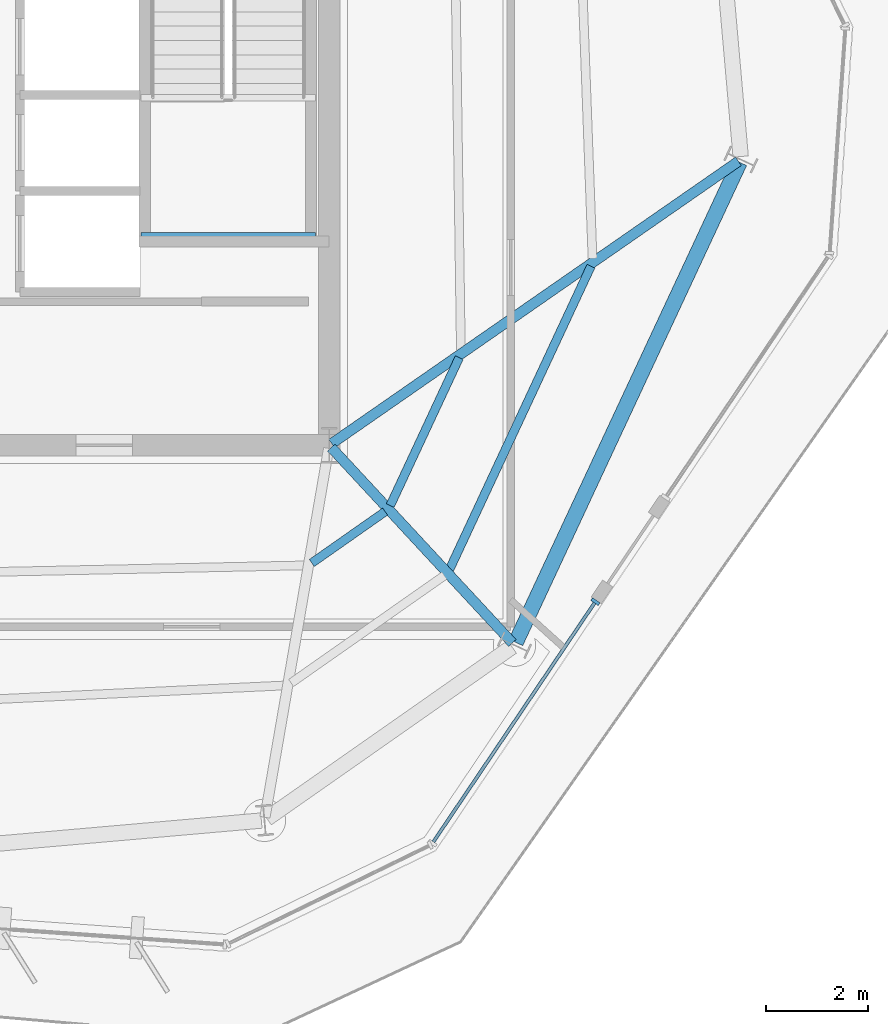
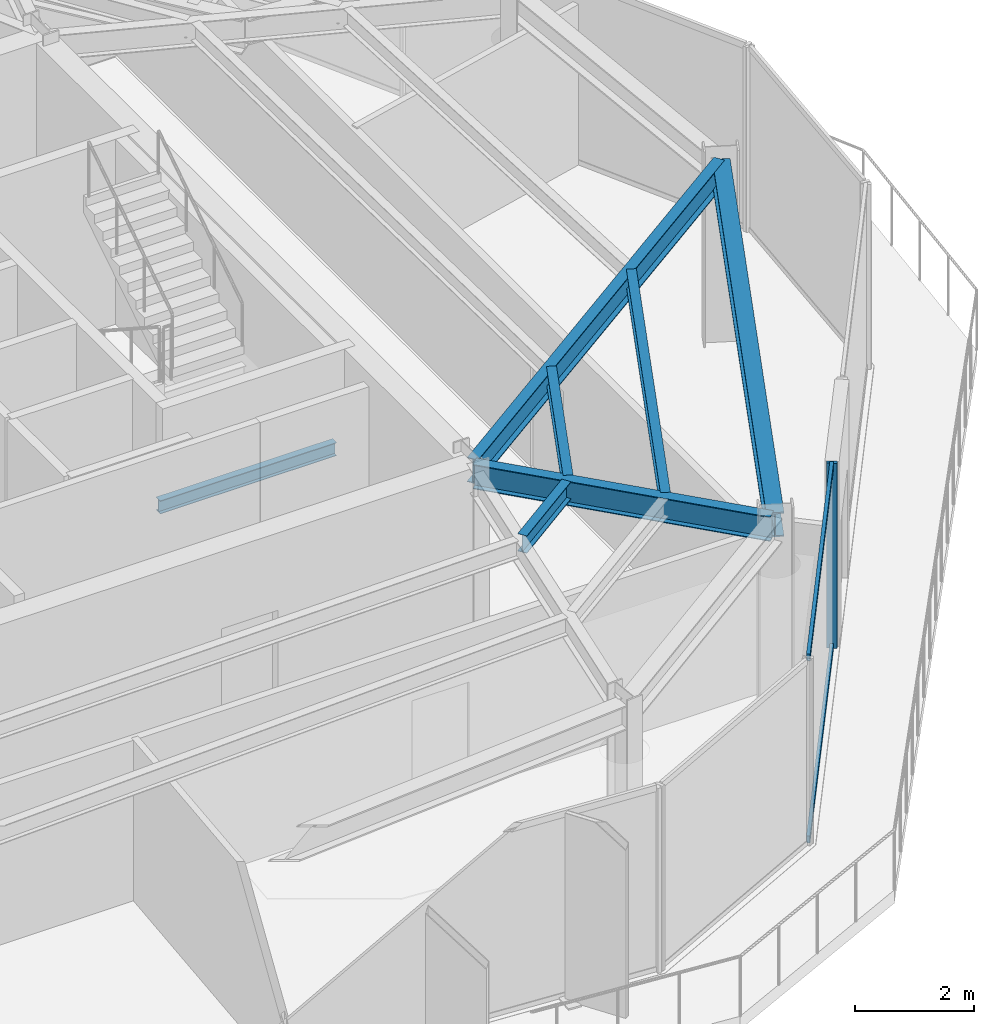
# One storey, part 3 of 12: 7 beams, 3 members, 1 element without a shape of its own.
"""IFC4 building model written with IfcOpenShell, lengths in metres."""

from ifc_helpers import new_model, si_unit, direction, frame, origin, origin_2d, place, context, subcontext, project, spatial, rectangle, i_section, extrude, material, layer, layer_set, material_profile, profile_set, type_object, element, aggregate, save


model = new_model("IFC4")

# Units and contexts
model_context = context("Model", 3, precision=1e-05, world=origin(), true_north=direction((0.0, 1.0)))
body_context = subcontext(model_context, "Body", "Model", "MODEL_VIEW")
ifc_project = project(units=[si_unit("LENGTHUNIT", "METRE"), si_unit("AREAUNIT", "SQUARE_METRE"), si_unit("VOLUMEUNIT", "CUBIC_METRE"), si_unit("PLANEANGLEUNIT", "RADIAN"), si_unit("MASSUNIT", "GRAM", prefix="KILO")], contexts=[model_context])

# Site, building, storey
site_placement = place(None, origin())
site = spatial("IfcSite", under=ifc_project, at=site_placement, CompositionType="ELEMENT")
building_placement = place(site_placement, origin())
building = spatial("IfcBuilding", under=site, at=building_placement, Name="Kranzbogen Civic Tower", CompositionType="ELEMENT")
storey_placement = place(building_placement, frame((0.0, 0.0, 250.199951171875)))
storey = spatial("IfcBuildingStorey", under=building, at=storey_placement, Name="L60", CompositionType="ELEMENT", Elevation=250.199951171875)

# Curtain wall, members
ifc_material_1 = material(Name="Pale Anodised Aluminium", Category="aluminium")
ifc_layer = layer(ifc_material_1, 0.219970703125, Name="Pale Anodised Aluminium")
ifc_layer_set = layer_set([ifc_layer], Name="Pale Anodised Aluminium")
curtain_wall_type = type_object("IfcCurtainWallType", Name="Zone 4 Stick Curtain Wall System CW-05", PredefinedType="USERDEFINED", material=ifc_layer_set)
curtain_wall_placement = place(storey_placement, origin())
curtain_wall = element("IfcCurtainWall", 1, at=curtain_wall_placement, inside=storey, type_object=curtain_wall_type, Name="L60 curtain wall CW-L60-F5-S1", ObjectType="STICK CURTAIN WALL", PredefinedType="USERDEFINED")
ifc_material_profile_1 = material_profile(ifc_material_1, rectangle(XDim=0.06494140625, YDim=0.179931640625, at=origin_2d()), Name="ALU-M 65x180")
ifc_profile_set_1 = profile_set([ifc_material_profile_1], Name="Pale Anodised Aluminium")
member_type_1 = type_object("IfcMemberType", Name="Curtain Wall Mullion ALU-M 65x180", PredefinedType="MULLION", material=ifc_profile_set_1)
member_1_placement = place(storey_placement, frame((38.00830078125, 14.7412109375, 0.0), z_axis=(0.0, 0.0, 1.0), x_axis=(0.559219373817, 0.829019717466, 0.0)))
member_1 = element("IfcMember", 2, at=member_1_placement, type_object=member_type_1, Name="CW-05 mullion 2", PredefinedType="MULLION", context=body_context, shape_type="SweptSolid", body=[
    extrude(rectangle(XDim=0.06494140625, YDim=0.179931640625, at=origin_2d()), origin(), (0.0, 0.0, 1.0), 3.780029296875),
])
ifc_material_profile_2 = material_profile(ifc_material_1, rectangle(XDim=0.06494140625, YDim=0.135009765625, at=origin_2d()), Name="ALU-T 65x135")
ifc_profile_set_2 = profile_set([ifc_material_profile_2], Name="Pale Anodised Aluminium")
member_type_2 = type_object("IfcMemberType", Name="Curtain Wall Transom ALU-T 65x135", PredefinedType="USERDEFINED", material=ifc_profile_set_2)
member_2_placement = place(storey_placement, frame((34.837646484375, 10.040771484375, 0.030029296875), z_axis=(0.55920740466, 0.829027791195, 0.0), x_axis=(-0.829027791195, 0.55920740466, 0.0)))
member_2 = element("IfcMember", 3, at=member_2_placement, type_object=member_type_2, Name="CW-05 transom 1.1", ObjectType="TRANSOM", PredefinedType="USERDEFINED", context=body_context, shape_type="SweptSolid", body=[
    extrude(rectangle(XDim=0.06494140625, YDim=0.135009765625, at=origin_2d()), origin(), (0.0, 0.0, 1.0), 5.639892578125),
])
member_3_placement = place(storey_placement, frame((34.837646484375, 10.040771484375, 3.75), z_axis=(0.55920740466, 0.829027791195, 0.0), x_axis=(-0.829027791195, 0.55920740466, 0.0)))
member_3 = element("IfcMember", 4, at=member_3_placement, type_object=member_type_2, Name="CW-05 transom 1.2", ObjectType="TRANSOM", PredefinedType="USERDEFINED", context=body_context, shape_type="SweptSolid", body=[
    extrude(rectangle(XDim=0.06494140625, YDim=0.135009765625, at=origin_2d()), origin(), (0.0, 0.0, 1.0), 5.639892578125),
])
aggregate(curtain_wall, [member_1, member_2, member_3])

# Beams
ifc_material_2 = material(Name="Steel S355", Category="steel")
ifc_material_profile_3 = material_profile(ifc_material_2, i_section(OverallWidth=0.300048828125, OverallDepth=0.5, WebThickness=0.014404296875, FlangeThickness=0.028076171875, at=origin_2d()), Name="HEB 500")
ifc_profile_set_3 = profile_set([ifc_material_profile_3], Name="Steel S355")
beam_type_1 = type_object("IfcBeamType", Name="Perimeter Tube Spandrel Beam HEB 500", PredefinedType="SPANDREL", material=ifc_profile_set_3)
beam_1_placement = place(storey_placement, frame((36.449951171875, 13.944091796875, 3.530029296875), z_axis=(0.422668780888, 0.906284227857, 0.0), x_axis=(-0.906284227857, 0.422668780888, 0.0)))
element("IfcBeam", 5, at=beam_1_placement, inside=storey, type_object=beam_type_1, Name="L60 perimeter spandrel beam 05", PredefinedType="SPANDREL", context=body_context, shape_type="SweptSolid", body=[
    extrude(i_section(OverallWidth=0.300048828125, OverallDepth=0.5, WebThickness=0.014404296875, FlangeThickness=0.028076171875, at=origin_2d()), origin(), (0.0, 0.0, 1.0), 10.363037109375),
])
ifc_material_profile_4 = material_profile(ifc_material_2, i_section(OverallWidth=0.199951171875, OverallDepth=0.5, WebThickness=0.01025390625, FlangeThickness=0.01611328125, at=origin_2d()), Name="IPE 500")
ifc_profile_set_4 = profile_set([ifc_material_profile_4], Name="Steel S355")
beam_type_2 = type_object("IfcBeamType", Name="Radial Tower Floor Girder IPE 500", PredefinedType="BEAM", material=ifc_profile_set_4)
beam_2_placement = place(storey_placement, frame((36.384033203125, 13.93408203125, 3.530029296875), z_axis=(-0.679827353702, 0.733372190064, 0.0), x_axis=(-0.733372190064, -0.679827353702, 0.0)))
element("IfcBeam", 6, at=beam_2_placement, inside=storey, type_object=beam_type_2, Name="L60 radial floor girder 05", PredefinedType="BEAM", context=body_context, shape_type="SweptSolid", body=[
    extrude(i_section(OverallWidth=0.199951171875, OverallDepth=0.5, WebThickness=0.01025390625, FlangeThickness=0.01611328125, at=origin_2d()), origin(), (0.0, 0.0, 1.0), 5.211669921875),
])
beam_3_placement = place(storey_placement, frame((40.805908203125, 23.35595703125, 3.530029296875), z_axis=(-0.821542812331, -0.570146829779, 0.0), x_axis=(0.570146829779, -0.821542812331, 0.0)))
element("IfcBeam", 7, at=beam_3_placement, inside=storey, type_object=beam_type_2, Name="L60 radial floor girder 06", PredefinedType="BEAM", context=body_context, shape_type="SweptSolid", body=[
    extrude(i_section(OverallWidth=0.199951171875, OverallDepth=0.5, WebThickness=0.01025390625, FlangeThickness=0.01611328125, at=origin_2d()), origin(), (0.0, 0.0, 1.0), 9.68505859375),
])
ifc_material_profile_5 = material_profile(ifc_material_2, i_section(OverallWidth=0.169921875, OverallDepth=0.360107421875, WebThickness=0.008056640625, FlangeThickness=0.0126953125, at=origin_2d()), Name="IPE 360")
ifc_profile_set_5 = profile_set([ifc_material_profile_5], Name="Steel S355")
beam_type_3 = type_object("IfcBeamType", Name="Secondary Composite Floor Joist IPE 360", PredefinedType="JOIST", material=ifc_profile_set_5)
beam_4_placement = place(storey_placement, frame((32.4599609375, 15.498046875, 3.60009765625), z_axis=(0.818956727849, 0.573855276103, 0.0), x_axis=(-0.573855276103, 0.818956727849, 0.0)))
element("IfcBeam", 8, at=beam_4_placement, inside=storey, type_object=beam_type_3, Name="L60 secondary floor joist 2.04", PredefinedType="JOIST", context=body_context, shape_type="SweptSolid", body=[
    extrude(i_section(OverallWidth=0.169921875, OverallDepth=0.360107421875, WebThickness=0.008056640625, FlangeThickness=0.0126953125, at=origin_2d()), origin(), (0.0, 0.0, 1.0), 1.751220703125),
])
beam_5_placement = place(storey_placement, frame((35.154052734375, 15.3701171875, 3.60009765625), z_axis=(0.422542528713, 0.906343098075, 0.0), x_axis=(-0.906343098075, 0.422542528713, 0.0)))
element("IfcBeam", 9, at=beam_5_placement, inside=storey, type_object=beam_type_3, Name="L60 secondary floor joist 1.05", PredefinedType="JOIST", context=body_context, shape_type="SweptSolid", body=[
    extrude(i_section(OverallWidth=0.169921875, OverallDepth=0.360107421875, WebThickness=0.008056640625, FlangeThickness=0.0126953125, at=origin_2d()), origin(), (0.0, 0.0, 1.0), 6.548095703125),
])
beam_6_placement = place(storey_placement, frame((33.993896484375, 16.62109375, 3.60009765625), z_axis=(0.422651143991, 0.906292453065, 0.0), x_axis=(-0.906292453065, 0.422651143991, 0.0)))
element("IfcBeam", 10, at=beam_6_placement, inside=storey, type_object=beam_type_3, Name="L60 secondary floor joist 2.05", PredefinedType="JOIST", context=body_context, shape_type="SweptSolid", body=[
    extrude(i_section(OverallWidth=0.169921875, OverallDepth=0.360107421875, WebThickness=0.008056640625, FlangeThickness=0.0126953125, at=origin_2d()), origin(), (0.0, 0.0, 1.0), 3.1943359375),
])
ifc_material_profile_6 = material_profile(ifc_material_2, i_section(OverallWidth=0.135009765625, OverallDepth=0.27001953125, WebThickness=0.006591796875, FlangeThickness=0.01025390625, at=origin_2d()), Name="IPE 270")
ifc_profile_set_6 = profile_set([ifc_material_profile_6], Name="Steel S355")
beam_type_4 = type_object("IfcBeamType", Name="Stair Landing Support Beam IPE 270", PredefinedType="JOIST", material=ifc_profile_set_6)
beam_7_placement = place(storey_placement, frame((29.1201171875, 21.89990234375, 1.6650390625), z_axis=(1.0, 0.0, 0.0), x_axis=(0.0, 1.0, 0.0)))
element("IfcBeam", 11, at=beam_7_placement, inside=storey, type_object=beam_type_4, Name="L60 ST-T2 landing support beam 1.2", PredefinedType="JOIST", context=body_context, shape_type="SweptSolid", body=[
    extrude(i_section(OverallWidth=0.135009765625, OverallDepth=0.27001953125, WebThickness=0.006591796875, FlangeThickness=0.01025390625, at=origin_2d()), origin(), (0.0, 0.0, 1.0), 3.409912109375),
])

save(model, "model.ifc")
